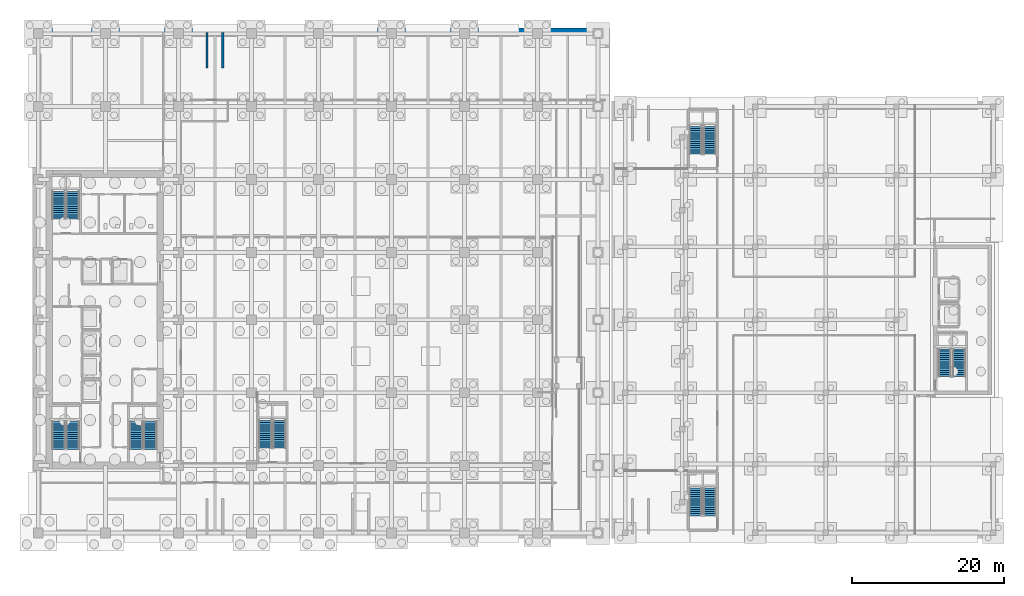
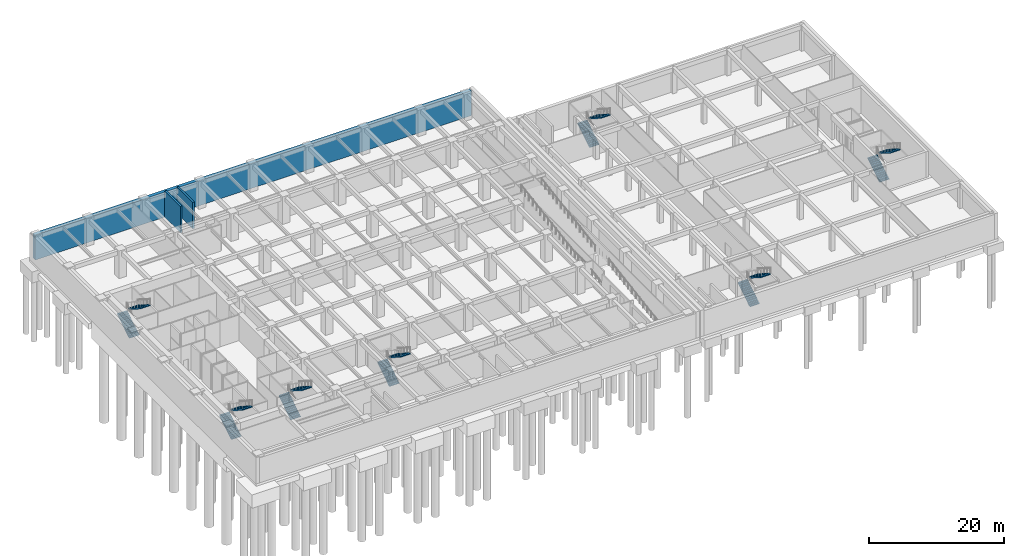
# One storey, part 15 of 20: 14 stair flights, 3 walls, 7 elements without a shape of their own.
"""IFC4 building model written with IfcOpenShell, lengths in metres."""

from ifc_helpers import new_model, si_unit, direction, frame, frame_2d, origin, place, context, subcontext, project, spatial, polyline, rectangle, outline, extrude, material, layer, layer_set, type_object, element, aggregate, save


model = new_model("IFC4")

# Units and contexts
model_context = context("Model", 3, precision=1e-05, world=origin(), true_north=direction((0.0, 1.0)))
body_context = subcontext(model_context, "Body", "Model", "MODEL_VIEW")
ifc_project = project(units=[si_unit("LENGTHUNIT", "METRE"), si_unit("AREAUNIT", "SQUARE_METRE"), si_unit("VOLUMEUNIT", "CUBIC_METRE"), si_unit("PLANEANGLEUNIT", "RADIAN"), si_unit("MASSUNIT", "GRAM", prefix="KILO")], contexts=[model_context])

# Site, building, storey
site_placement = place(None, origin())
site = spatial("IfcSite", under=ifc_project, at=site_placement, CompositionType="ELEMENT")
building_placement = place(site_placement, origin())
building = spatial("IfcBuilding", under=site, at=building_placement, Name="Norrvale University Quadrangle", CompositionType="ELEMENT")
storey_placement = place(building_placement, frame((0.0, 0.0, -5.0)))
storey = spatial("IfcBuildingStorey", under=building, at=storey_placement, Name="B01", CompositionType="ELEMENT", Elevation=-5.0)

# Walls
ifc_material_1 = material(Name="Concrete C50/60", Category="concrete")
ifc_layer_1 = layer(ifc_material_1, 0.300048828125, Name="Concrete C50/60")
ifc_layer_set_1 = layer_set([ifc_layer_1], Name="Concrete C50/60")
wall_type_1 = type_object("IfcWallType", Name="Wall Ramp Cheek 300", PredefinedType="SOLIDWALL", material=ifc_layer_set_1)
for number, where, z_axis, x_axis, name in (
    (1, (22.949951171875, 61.919921875, 0.0), (0.0, 0.0, 1.0), (0.0, 1.0, 0.0), "Plaza Ramp Foundation Cheek Wall N1-W"),
    (2, (25.050048828125, 61.919921875, 0.0), (0.0, 0.0, 1.0), (0.0, 1.0, 0.0), "Plaza Ramp Foundation Cheek Wall N1-E"),
):
    element("IfcWall", number, at=place(storey_placement, frame(where, z_axis=z_axis, x_axis=x_axis)), inside=storey, type_object=wall_type_1, Name=name, PredefinedType="SOLIDWALL", context=body_context, shape_type="SweptSolid", body=[
        extrude(rectangle(XDim=4.68017578125, YDim=0.300048828125, at=frame_2d((2.340087890625, 0.0))), origin(), (0.0, 0.0, 1.0), 4.780029296875),
    ])
ifc_layer_2 = layer(ifc_material_1, 0.60009765625, Name="Concrete C50/60")
ifc_layer_set_2 = layer_set([ifc_layer_2], Name="Concrete C50/60")
wall_type_2 = type_object("IfcWallType", Name="Wall Retaining 600", PredefinedType="USERDEFINED", material=ifc_layer_set_2)
wall_placement = place(storey_placement, frame((75.39990234375, 66.89990234375, 0.0), z_axis=(0.0, 0.0, 1.0), x_axis=(-1.0, 0.0, 0.0)))
element("IfcWall", 3, at=wall_placement, inside=storey, type_object=wall_type_2, Name="Basement Retaining Wall T-N", ObjectType="RETAININGWALL", PredefinedType="USERDEFINED", context=body_context, shape_type="SweptSolid", body=[
    extrude(rectangle(XDim=74.7998046875, YDim=0.60009765625, at=frame_2d((37.39990234375, 0.0))), origin(), (0.0, 0.0, 1.0), 4.5400390625),
])

# Stair, stair flights
ifc_material_2 = material(Name="Concrete C40/50", Category="concrete")
stair_type = type_object("IfcStairType", Name="Stair Tower Plant 5000", PredefinedType="TWO_STRAIGHT_RUN_STAIR", material=ifc_material_2)
stair_1_placement = place(storey_placement, origin())
stair_1 = element("IfcStair", 4, at=stair_1_placement, inside=storey, type_object=stair_type, Name="Exit Stair ST-L1 B01", PredefinedType="TWO_STRAIGHT_RUN_STAIR")
stair_flight_type_1 = type_object("IfcStairFlightType", Name="Flight Lib 1550", PredefinedType="STRAIGHT", material=ifc_material_2)
stair_flight_1_placement = place(storey_placement, frame((120.050048828125, 21.300048828125, 0.0), z_axis=(0.0, 0.0, 1.0), x_axis=(0.0, 1.0, 0.0)))
stair_flight_1 = element("IfcStairFlight", 5, at=stair_flight_1_placement, type_object=stair_flight_type_1, Name="Exit Stair ST-L1 B01 Lower Flight", NumberOfRisers=14, NumberOfTreads=13, PredefinedType="STRAIGHT", RiserHeight=0.178571, TreadLength=0.28, context=body_context, shape_type="SweptSolid", body=[
    extrude(outline(polyline([(0.0, 0.0), (0.0, 0.178466796875), (0.280029296875, 0.178466796875), (0.280029296875, 0.357177734375), (0.56005859375, 0.357177734375), (0.56005859375, 0.53564453125), (0.840087890625, 0.53564453125), (0.840087890625, 0.71435546875), (1.1201171875, 0.71435546875), (1.1201171875, 0.892822265625), (1.39990234375, 0.892822265625), (1.39990234375, 1.071533203125), (1.679931640625, 1.071533203125), (1.679931640625, 1.25), (1.9599609375, 1.25), (1.9599609375, 1.428466796875), (2.239990234375, 1.428466796875), (2.239990234375, 1.607177734375), (2.52001953125, 1.607177734375), (2.52001953125, 1.78564453125), (2.800048828125, 1.78564453125), (2.800048828125, 1.96435546875), (3.080078125, 1.96435546875), (3.080078125, 2.142822265625), (3.360107421875, 2.142822265625), (3.360107421875, 2.321533203125), (3.639892578125, 2.321533203125), (3.639892578125, 2.5), (3.639892578125, 2.1318359375), (0.29736328125, 0.0), (0.0, 0.0)])), frame((0.0, 0.81005859375, 0.0), z_axis=(0.0, -1.0, 0.0), x_axis=(1.0, 0.0, 0.0)), (0.0, 0.0, 1.0), 1.6201171875),
])
stair_flight_2_placement = place(storey_placement, frame((121.949951171875, 24.93994140625, 2.5), z_axis=(0.0, 0.0, 1.0), x_axis=(0.0, -1.0, 0.0)))
stair_flight_2 = element("IfcStairFlight", 6, at=stair_flight_2_placement, type_object=stair_flight_type_1, Name="Exit Stair ST-L1 B01 Upper Flight", NumberOfRisers=14, NumberOfTreads=13, PredefinedType="STRAIGHT", RiserHeight=0.178571, TreadLength=0.28, context=body_context, shape_type="SweptSolid", body=[
    extrude(outline(polyline([(0.0, 0.0), (0.0, 0.178466796875), (0.280029296875, 0.178466796875), (0.280029296875, 0.357177734375), (0.56005859375, 0.357177734375), (0.56005859375, 0.53564453125), (0.840087890625, 0.53564453125), (0.840087890625, 0.71435546875), (1.1201171875, 0.71435546875), (1.1201171875, 0.892822265625), (1.39990234375, 0.892822265625), (1.39990234375, 1.071533203125), (1.679931640625, 1.071533203125), (1.679931640625, 1.25), (1.9599609375, 1.25), (1.9599609375, 1.428466796875), (2.239990234375, 1.428466796875), (2.239990234375, 1.607177734375), (2.52001953125, 1.607177734375), (2.52001953125, 1.78564453125), (2.800048828125, 1.78564453125), (2.800048828125, 1.96435546875), (3.080078125, 1.96435546875), (3.080078125, 2.142822265625), (3.360107421875, 2.142822265625), (3.360107421875, 2.321533203125), (3.639892578125, 2.321533203125), (3.639892578125, 2.5), (3.639892578125, 2.1318359375), (0.29736328125, 0.0), (0.0, 0.0)])), frame((0.0, 0.81005859375, 0.0), z_axis=(0.0, -1.0, 0.0), x_axis=(1.0, 0.0, 0.0)), (0.0, 0.0, 1.0), 1.6201171875),
])
aggregate(stair_1, [stair_flight_1, stair_flight_2])

stair_2_placement = place(storey_placement, origin())
stair_2 = element("IfcStair", 7, at=stair_2_placement, inside=storey, type_object=stair_type, Name="Exit Stair ST-L2 B01", PredefinedType="TWO_STRAIGHT_RUN_STAIR")
stair_flight_3_placement = place(storey_placement, frame((87.25, 3.0, 0.0), z_axis=(0.0, 0.0, 1.0), x_axis=(0.0, 1.0, 0.0)))
stair_flight_3 = element("IfcStairFlight", 8, at=stair_flight_3_placement, type_object=stair_flight_type_1, Name="Exit Stair ST-L2 B01 Lower Flight", NumberOfRisers=14, NumberOfTreads=13, PredefinedType="STRAIGHT", RiserHeight=0.178571, TreadLength=0.28, context=body_context, shape_type="SweptSolid", body=[
    extrude(outline(polyline([(0.0, 0.0), (0.0, 0.178466796875), (0.280029296875, 0.178466796875), (0.280029296875, 0.357177734375), (0.56005859375, 0.357177734375), (0.56005859375, 0.53564453125), (0.840087890625, 0.53564453125), (0.840087890625, 0.71435546875), (1.1201171875, 0.71435546875), (1.1201171875, 0.892822265625), (1.39990234375, 0.892822265625), (1.39990234375, 1.071533203125), (1.679931640625, 1.071533203125), (1.679931640625, 1.25), (1.9599609375, 1.25), (1.9599609375, 1.428466796875), (2.239990234375, 1.428466796875), (2.239990234375, 1.607177734375), (2.52001953125, 1.607177734375), (2.52001953125, 1.78564453125), (2.800048828125, 1.78564453125), (2.800048828125, 1.96435546875), (3.080078125, 1.96435546875), (3.080078125, 2.142822265625), (3.360107421875, 2.142822265625), (3.360107421875, 2.321533203125), (3.639892578125, 2.321533203125), (3.639892578125, 2.5), (3.639892578125, 2.1318359375), (0.29736328125, 0.0), (0.0, 0.0)])), frame((0.0, 0.81005859375, 0.0), z_axis=(0.0, -1.0, 0.0), x_axis=(1.0, 0.0, 0.0)), (0.0, 0.0, 1.0), 1.6201171875),
])
stair_flight_4_placement = place(storey_placement, frame((89.14990234375, 6.639892578125, 2.5), z_axis=(0.0, 0.0, 1.0), x_axis=(0.0, -1.0, 0.0)))
stair_flight_4 = element("IfcStairFlight", 9, at=stair_flight_4_placement, type_object=stair_flight_type_1, Name="Exit Stair ST-L2 B01 Upper Flight", NumberOfRisers=14, NumberOfTreads=13, PredefinedType="STRAIGHT", RiserHeight=0.178571, TreadLength=0.28, context=body_context, shape_type="SweptSolid", body=[
    extrude(outline(polyline([(0.0, 0.0), (0.0, 0.178466796875), (0.280029296875, 0.178466796875), (0.280029296875, 0.357177734375), (0.56005859375, 0.357177734375), (0.56005859375, 0.53564453125), (0.840087890625, 0.53564453125), (0.840087890625, 0.71435546875), (1.1201171875, 0.71435546875), (1.1201171875, 0.892822265625), (1.39990234375, 0.892822265625), (1.39990234375, 1.071533203125), (1.679931640625, 1.071533203125), (1.679931640625, 1.25), (1.9599609375, 1.25), (1.9599609375, 1.428466796875), (2.239990234375, 1.428466796875), (2.239990234375, 1.607177734375), (2.52001953125, 1.607177734375), (2.52001953125, 1.78564453125), (2.800048828125, 1.78564453125), (2.800048828125, 1.96435546875), (3.080078125, 1.96435546875), (3.080078125, 2.142822265625), (3.360107421875, 2.142822265625), (3.360107421875, 2.321533203125), (3.639892578125, 2.321533203125), (3.639892578125, 2.5), (3.639892578125, 2.1318359375), (0.29736328125, 0.0), (0.0, 0.0)])), frame((0.0, 0.81005859375, 0.0), z_axis=(0.0, -1.0, 0.0), x_axis=(1.0, 0.0, 0.0)), (0.0, 0.0, 1.0), 1.6201171875),
])
aggregate(stair_2, [stair_flight_3, stair_flight_4])

stair_3_placement = place(storey_placement, origin())
stair_3 = element("IfcStair", 10, at=stair_3_placement, inside=storey, type_object=stair_type, Name="Exit Stair ST-L3 B01", PredefinedType="TWO_STRAIGHT_RUN_STAIR")
stair_flight_5_placement = place(storey_placement, frame((87.25, 50.60009765625, 0.0), z_axis=(0.0, 0.0, 1.0), x_axis=(0.0, 1.0, 0.0)))
stair_flight_5 = element("IfcStairFlight", 11, at=stair_flight_5_placement, type_object=stair_flight_type_1, Name="Exit Stair ST-L3 B01 Lower Flight", NumberOfRisers=14, NumberOfTreads=13, PredefinedType="STRAIGHT", RiserHeight=0.178571, TreadLength=0.28, context=body_context, shape_type="SweptSolid", body=[
    extrude(outline(polyline([(0.0, 0.0), (0.0, 0.178466796875), (0.280029296875, 0.178466796875), (0.280029296875, 0.357177734375), (0.56005859375, 0.357177734375), (0.56005859375, 0.53564453125), (0.840087890625, 0.53564453125), (0.840087890625, 0.71435546875), (1.1201171875, 0.71435546875), (1.1201171875, 0.892822265625), (1.39990234375, 0.892822265625), (1.39990234375, 1.071533203125), (1.679931640625, 1.071533203125), (1.679931640625, 1.25), (1.9599609375, 1.25), (1.9599609375, 1.428466796875), (2.239990234375, 1.428466796875), (2.239990234375, 1.607177734375), (2.52001953125, 1.607177734375), (2.52001953125, 1.78564453125), (2.800048828125, 1.78564453125), (2.800048828125, 1.96435546875), (3.080078125, 1.96435546875), (3.080078125, 2.142822265625), (3.360107421875, 2.142822265625), (3.360107421875, 2.321533203125), (3.639892578125, 2.321533203125), (3.639892578125, 2.5), (3.639892578125, 2.1318359375), (0.29736328125, 0.0), (0.0, 0.0)])), frame((0.0, 0.81005859375, 0.0), z_axis=(0.0, -1.0, 0.0), x_axis=(1.0, 0.0, 0.0)), (0.0, 0.0, 1.0), 1.6201171875),
])
stair_flight_6_placement = place(storey_placement, frame((89.14990234375, 54.239990234375, 2.5), z_axis=(0.0, 0.0, 1.0), x_axis=(0.0, -1.0, 0.0)))
stair_flight_6 = element("IfcStairFlight", 12, at=stair_flight_6_placement, type_object=stair_flight_type_1, Name="Exit Stair ST-L3 B01 Upper Flight", NumberOfRisers=14, NumberOfTreads=13, PredefinedType="STRAIGHT", RiserHeight=0.178571, TreadLength=0.28, context=body_context, shape_type="SweptSolid", body=[
    extrude(outline(polyline([(0.0, 0.0), (0.0, 0.178466796875), (0.280029296875, 0.178466796875), (0.280029296875, 0.357177734375), (0.56005859375, 0.357177734375), (0.56005859375, 0.53564453125), (0.840087890625, 0.53564453125), (0.840087890625, 0.71435546875), (1.1201171875, 0.71435546875), (1.1201171875, 0.892822265625), (1.39990234375, 0.892822265625), (1.39990234375, 1.071533203125), (1.679931640625, 1.071533203125), (1.679931640625, 1.25), (1.9599609375, 1.25), (1.9599609375, 1.428466796875), (2.239990234375, 1.428466796875), (2.239990234375, 1.607177734375), (2.52001953125, 1.607177734375), (2.52001953125, 1.78564453125), (2.800048828125, 1.78564453125), (2.800048828125, 1.96435546875), (3.080078125, 1.96435546875), (3.080078125, 2.142822265625), (3.360107421875, 2.142822265625), (3.360107421875, 2.321533203125), (3.639892578125, 2.321533203125), (3.639892578125, 2.5), (3.639892578125, 2.1318359375), (0.29736328125, 0.0), (0.0, 0.0)])), frame((0.0, 0.81005859375, 0.0), z_axis=(0.0, -1.0, 0.0), x_axis=(1.0, 0.0, 0.0)), (0.0, 0.0, 1.0), 1.6201171875),
])
aggregate(stair_3, [stair_flight_5, stair_flight_6])

stair_4_placement = place(storey_placement, origin())
stair_4 = element("IfcStair", 13, at=stair_4_placement, inside=storey, type_object=stair_type, Name="Exit Stair ST-01 B01", PredefinedType="TWO_STRAIGHT_RUN_STAIR")
stair_flight_type_2 = type_object("IfcStairFlightType", Name="Flight Typ 1500", PredefinedType="STRAIGHT", material=ifc_material_2)
stair_flight_7_placement = place(storey_placement, frame((3.429931640625, 11.75, 0.0), z_axis=(0.0, 0.0, 1.0), x_axis=(0.0, 1.0, 0.0)))
stair_flight_7 = element("IfcStairFlight", 14, at=stair_flight_7_placement, type_object=stair_flight_type_2, Name="Exit Stair ST-01 B01 Lower Flight", NumberOfRisers=14, NumberOfTreads=13, PredefinedType="STRAIGHT", RiserHeight=0.178571, TreadLength=0.28, context=body_context, shape_type="SweptSolid", body=[
    extrude(outline(polyline([(0.0, 0.0), (0.0, 0.178466796875), (0.280029296875, 0.178466796875), (0.280029296875, 0.357177734375), (0.56005859375, 0.357177734375), (0.56005859375, 0.53564453125), (0.840087890625, 0.53564453125), (0.840087890625, 0.71435546875), (1.1201171875, 0.71435546875), (1.1201171875, 0.892822265625), (1.39990234375, 0.892822265625), (1.39990234375, 1.071533203125), (1.679931640625, 1.071533203125), (1.679931640625, 1.25), (1.9599609375, 1.25), (1.9599609375, 1.428466796875), (2.239990234375, 1.428466796875), (2.239990234375, 1.607177734375), (2.52001953125, 1.607177734375), (2.52001953125, 1.78564453125), (2.800048828125, 1.78564453125), (2.800048828125, 1.96435546875), (3.080078125, 1.96435546875), (3.080078125, 2.142822265625), (3.360107421875, 2.142822265625), (3.360107421875, 2.321533203125), (3.639892578125, 2.321533203125), (3.639892578125, 2.5), (3.639892578125, 2.1435546875), (0.27880859375, 0.0), (0.0, 0.0)])), frame((0.0, 0.83984375, 0.0), z_axis=(0.0, -1.0, 0.0), x_axis=(1.0, 0.0, 0.0)), (0.0, 0.0, 1.0), 1.679931640625),
])
stair_flight_8_placement = place(storey_placement, frame((5.320068359375, 15.389892578125, 2.5), z_axis=(0.0, 0.0, 1.0), x_axis=(0.0, -1.0, 0.0)))
stair_flight_8 = element("IfcStairFlight", 15, at=stair_flight_8_placement, type_object=stair_flight_type_2, Name="Exit Stair ST-01 B01 Upper Flight", NumberOfRisers=14, NumberOfTreads=13, PredefinedType="STRAIGHT", RiserHeight=0.178571, TreadLength=0.28, context=body_context, shape_type="SweptSolid", body=[
    extrude(outline(polyline([(0.0, 0.0), (0.0, 0.178466796875), (0.280029296875, 0.178466796875), (0.280029296875, 0.357177734375), (0.56005859375, 0.357177734375), (0.56005859375, 0.53564453125), (0.840087890625, 0.53564453125), (0.840087890625, 0.71435546875), (1.1201171875, 0.71435546875), (1.1201171875, 0.892822265625), (1.39990234375, 0.892822265625), (1.39990234375, 1.071533203125), (1.679931640625, 1.071533203125), (1.679931640625, 1.25), (1.9599609375, 1.25), (1.9599609375, 1.428466796875), (2.239990234375, 1.428466796875), (2.239990234375, 1.607177734375), (2.52001953125, 1.607177734375), (2.52001953125, 1.78564453125), (2.800048828125, 1.78564453125), (2.800048828125, 1.96435546875), (3.080078125, 1.96435546875), (3.080078125, 2.142822265625), (3.360107421875, 2.142822265625), (3.360107421875, 2.321533203125), (3.639892578125, 2.321533203125), (3.639892578125, 2.5), (3.639892578125, 2.1435546875), (0.27880859375, 0.0), (0.0, 0.0)])), frame((0.0, 0.83984375, 0.0), z_axis=(0.0, -1.0, 0.0), x_axis=(1.0, 0.0, 0.0)), (0.0, 0.0, 1.0), 1.679931640625),
])
aggregate(stair_4, [stair_flight_7, stair_flight_8])

stair_5_placement = place(storey_placement, origin())
stair_5 = element("IfcStair", 16, at=stair_5_placement, inside=storey, type_object=stair_type, Name="Exit Stair ST-02 B01", PredefinedType="TWO_STRAIGHT_RUN_STAIR")
stair_flight_9_placement = place(storey_placement, frame((3.429931640625, 42.050048828125, 0.0), z_axis=(0.0, 0.0, 1.0), x_axis=(0.0, 1.0, 0.0)))
stair_flight_9 = element("IfcStairFlight", 17, at=stair_flight_9_placement, type_object=stair_flight_type_2, Name="Exit Stair ST-02 B01 Lower Flight", NumberOfRisers=14, NumberOfTreads=13, PredefinedType="STRAIGHT", RiserHeight=0.178571, TreadLength=0.28, context=body_context, shape_type="SweptSolid", body=[
    extrude(outline(polyline([(0.0, 0.0), (0.0, 0.178466796875), (0.280029296875, 0.178466796875), (0.280029296875, 0.357177734375), (0.56005859375, 0.357177734375), (0.56005859375, 0.53564453125), (0.840087890625, 0.53564453125), (0.840087890625, 0.71435546875), (1.1201171875, 0.71435546875), (1.1201171875, 0.892822265625), (1.39990234375, 0.892822265625), (1.39990234375, 1.071533203125), (1.679931640625, 1.071533203125), (1.679931640625, 1.25), (1.9599609375, 1.25), (1.9599609375, 1.428466796875), (2.239990234375, 1.428466796875), (2.239990234375, 1.607177734375), (2.52001953125, 1.607177734375), (2.52001953125, 1.78564453125), (2.800048828125, 1.78564453125), (2.800048828125, 1.96435546875), (3.080078125, 1.96435546875), (3.080078125, 2.142822265625), (3.360107421875, 2.142822265625), (3.360107421875, 2.321533203125), (3.639892578125, 2.321533203125), (3.639892578125, 2.5), (3.639892578125, 2.1435546875), (0.27880859375, 0.0), (0.0, 0.0)])), frame((0.0, 0.83984375, 0.0), z_axis=(0.0, -1.0, 0.0), x_axis=(1.0, 0.0, 0.0)), (0.0, 0.0, 1.0), 1.679931640625),
])
stair_flight_10_placement = place(storey_placement, frame((5.320068359375, 45.68994140625, 2.5), z_axis=(0.0, 0.0, 1.0), x_axis=(0.0, -1.0, 0.0)))
stair_flight_10 = element("IfcStairFlight", 18, at=stair_flight_10_placement, type_object=stair_flight_type_2, Name="Exit Stair ST-02 B01 Upper Flight", NumberOfRisers=14, NumberOfTreads=13, PredefinedType="STRAIGHT", RiserHeight=0.178571, TreadLength=0.28, context=body_context, shape_type="SweptSolid", body=[
    extrude(outline(polyline([(0.0, 0.0), (0.0, 0.178466796875), (0.280029296875, 0.178466796875), (0.280029296875, 0.357177734375), (0.56005859375, 0.357177734375), (0.56005859375, 0.53564453125), (0.840087890625, 0.53564453125), (0.840087890625, 0.71435546875), (1.1201171875, 0.71435546875), (1.1201171875, 0.892822265625), (1.39990234375, 0.892822265625), (1.39990234375, 1.071533203125), (1.679931640625, 1.071533203125), (1.679931640625, 1.25), (1.9599609375, 1.25), (1.9599609375, 1.428466796875), (2.239990234375, 1.428466796875), (2.239990234375, 1.607177734375), (2.52001953125, 1.607177734375), (2.52001953125, 1.78564453125), (2.800048828125, 1.78564453125), (2.800048828125, 1.96435546875), (3.080078125, 1.96435546875), (3.080078125, 2.142822265625), (3.360107421875, 2.142822265625), (3.360107421875, 2.321533203125), (3.639892578125, 2.321533203125), (3.639892578125, 2.5), (3.639892578125, 2.1435546875), (0.27880859375, 0.0), (0.0, 0.0)])), frame((0.0, 0.83984375, 0.0), z_axis=(0.0, -1.0, 0.0), x_axis=(1.0, 0.0, 0.0)), (0.0, 0.0, 1.0), 1.679931640625),
])
aggregate(stair_5, [stair_flight_9, stair_flight_10])

stair_6_placement = place(storey_placement, origin())
stair_6 = element("IfcStair", 19, at=stair_6_placement, inside=storey, type_object=stair_type, Name="Exit Stair ST-03 B01", PredefinedType="TWO_STRAIGHT_RUN_STAIR")
stair_flight_11_placement = place(storey_placement, frame((13.6298828125, 11.75, 0.0), z_axis=(0.0, 0.0, 1.0), x_axis=(0.0, 1.0, 0.0)))
stair_flight_11 = element("IfcStairFlight", 20, at=stair_flight_11_placement, type_object=stair_flight_type_2, Name="Exit Stair ST-03 B01 Lower Flight", NumberOfRisers=14, NumberOfTreads=13, PredefinedType="STRAIGHT", RiserHeight=0.178571, TreadLength=0.28, context=body_context, shape_type="SweptSolid", body=[
    extrude(outline(polyline([(0.0, 0.0), (0.0, 0.178466796875), (0.280029296875, 0.178466796875), (0.280029296875, 0.357177734375), (0.56005859375, 0.357177734375), (0.56005859375, 0.53564453125), (0.840087890625, 0.53564453125), (0.840087890625, 0.71435546875), (1.1201171875, 0.71435546875), (1.1201171875, 0.892822265625), (1.39990234375, 0.892822265625), (1.39990234375, 1.071533203125), (1.679931640625, 1.071533203125), (1.679931640625, 1.25), (1.9599609375, 1.25), (1.9599609375, 1.428466796875), (2.239990234375, 1.428466796875), (2.239990234375, 1.607177734375), (2.52001953125, 1.607177734375), (2.52001953125, 1.78564453125), (2.800048828125, 1.78564453125), (2.800048828125, 1.96435546875), (3.080078125, 1.96435546875), (3.080078125, 2.142822265625), (3.360107421875, 2.142822265625), (3.360107421875, 2.321533203125), (3.639892578125, 2.321533203125), (3.639892578125, 2.5), (3.639892578125, 2.1435546875), (0.27880859375, 0.0), (0.0, 0.0)])), frame((0.0, 0.83984375, 0.0), z_axis=(0.0, -1.0, 0.0), x_axis=(1.0, 0.0, 0.0)), (0.0, 0.0, 1.0), 1.679931640625),
])
stair_flight_12_placement = place(storey_placement, frame((15.52001953125, 15.389892578125, 2.5), z_axis=(0.0, 0.0, 1.0), x_axis=(0.0, -1.0, 0.0)))
stair_flight_12 = element("IfcStairFlight", 21, at=stair_flight_12_placement, type_object=stair_flight_type_2, Name="Exit Stair ST-03 B01 Upper Flight", NumberOfRisers=14, NumberOfTreads=13, PredefinedType="STRAIGHT", RiserHeight=0.178571, TreadLength=0.28, context=body_context, shape_type="SweptSolid", body=[
    extrude(outline(polyline([(0.0, 0.0), (0.0, 0.178466796875), (0.280029296875, 0.178466796875), (0.280029296875, 0.357177734375), (0.56005859375, 0.357177734375), (0.56005859375, 0.53564453125), (0.840087890625, 0.53564453125), (0.840087890625, 0.71435546875), (1.1201171875, 0.71435546875), (1.1201171875, 0.892822265625), (1.39990234375, 0.892822265625), (1.39990234375, 1.071533203125), (1.679931640625, 1.071533203125), (1.679931640625, 1.25), (1.9599609375, 1.25), (1.9599609375, 1.428466796875), (2.239990234375, 1.428466796875), (2.239990234375, 1.607177734375), (2.52001953125, 1.607177734375), (2.52001953125, 1.78564453125), (2.800048828125, 1.78564453125), (2.800048828125, 1.96435546875), (3.080078125, 1.96435546875), (3.080078125, 2.142822265625), (3.360107421875, 2.142822265625), (3.360107421875, 2.321533203125), (3.639892578125, 2.321533203125), (3.639892578125, 2.5), (3.639892578125, 2.1435546875), (0.27880859375, 0.0), (0.0, 0.0)])), frame((0.0, 0.83984375, 0.0), z_axis=(0.0, -1.0, 0.0), x_axis=(1.0, 0.0, 0.0)), (0.0, 0.0, 1.0), 1.679931640625),
])
aggregate(stair_6, [stair_flight_11, stair_flight_12])

stair_7_placement = place(storey_placement, origin())
stair_7 = element("IfcStair", 22, at=stair_7_placement, inside=storey, type_object=stair_type, Name="Exit Stair ST-04 B01", PredefinedType="TWO_STRAIGHT_RUN_STAIR")
stair_flight_13_placement = place(storey_placement, frame((30.6298828125, 11.89990234375, 0.0), z_axis=(0.0, 0.0, 1.0), x_axis=(0.0, 1.0, 0.0)))
stair_flight_13 = element("IfcStairFlight", 23, at=stair_flight_13_placement, type_object=stair_flight_type_2, Name="Exit Stair ST-04 B01 Lower Flight", NumberOfRisers=14, NumberOfTreads=13, PredefinedType="STRAIGHT", RiserHeight=0.178571, TreadLength=0.28, context=body_context, shape_type="SweptSolid", body=[
    extrude(outline(polyline([(0.0, 0.0), (0.0, 0.178466796875), (0.280029296875, 0.178466796875), (0.280029296875, 0.357177734375), (0.56005859375, 0.357177734375), (0.56005859375, 0.53564453125), (0.840087890625, 0.53564453125), (0.840087890625, 0.71435546875), (1.1201171875, 0.71435546875), (1.1201171875, 0.892822265625), (1.39990234375, 0.892822265625), (1.39990234375, 1.071533203125), (1.679931640625, 1.071533203125), (1.679931640625, 1.25), (1.9599609375, 1.25), (1.9599609375, 1.428466796875), (2.239990234375, 1.428466796875), (2.239990234375, 1.607177734375), (2.52001953125, 1.607177734375), (2.52001953125, 1.78564453125), (2.800048828125, 1.78564453125), (2.800048828125, 1.96435546875), (3.080078125, 1.96435546875), (3.080078125, 2.142822265625), (3.360107421875, 2.142822265625), (3.360107421875, 2.321533203125), (3.639892578125, 2.321533203125), (3.639892578125, 2.5), (3.639892578125, 2.1435546875), (0.27880859375, 0.0), (0.0, 0.0)])), frame((0.0, 0.83984375, 0.0), z_axis=(0.0, -1.0, 0.0), x_axis=(1.0, 0.0, 0.0)), (0.0, 0.0, 1.0), 1.679931640625),
])
stair_flight_14_placement = place(storey_placement, frame((32.52001953125, 15.5400390625, 2.5), z_axis=(0.0, 0.0, 1.0), x_axis=(0.0, -1.0, 0.0)))
stair_flight_14 = element("IfcStairFlight", 24, at=stair_flight_14_placement, type_object=stair_flight_type_2, Name="Exit Stair ST-04 B01 Upper Flight", NumberOfRisers=14, NumberOfTreads=13, PredefinedType="STRAIGHT", RiserHeight=0.178571, TreadLength=0.28, context=body_context, shape_type="SweptSolid", body=[
    extrude(outline(polyline([(0.0, 0.0), (0.0, 0.178466796875), (0.280029296875, 0.178466796875), (0.280029296875, 0.357177734375), (0.56005859375, 0.357177734375), (0.56005859375, 0.53564453125), (0.840087890625, 0.53564453125), (0.840087890625, 0.71435546875), (1.1201171875, 0.71435546875), (1.1201171875, 0.892822265625), (1.39990234375, 0.892822265625), (1.39990234375, 1.071533203125), (1.679931640625, 1.071533203125), (1.679931640625, 1.25), (1.9599609375, 1.25), (1.9599609375, 1.428466796875), (2.239990234375, 1.428466796875), (2.239990234375, 1.607177734375), (2.52001953125, 1.607177734375), (2.52001953125, 1.78564453125), (2.800048828125, 1.78564453125), (2.800048828125, 1.96435546875), (3.080078125, 1.96435546875), (3.080078125, 2.142822265625), (3.360107421875, 2.142822265625), (3.360107421875, 2.321533203125), (3.639892578125, 2.321533203125), (3.639892578125, 2.5), (3.639892578125, 2.1435546875), (0.27880859375, 0.0), (0.0, 0.0)])), frame((0.0, 0.83984375, 0.0), z_axis=(0.0, -1.0, 0.0), x_axis=(1.0, 0.0, 0.0)), (0.0, 0.0, 1.0), 1.679931640625),
])
aggregate(stair_7, [stair_flight_13, stair_flight_14])

save(model, "model.ifc")
